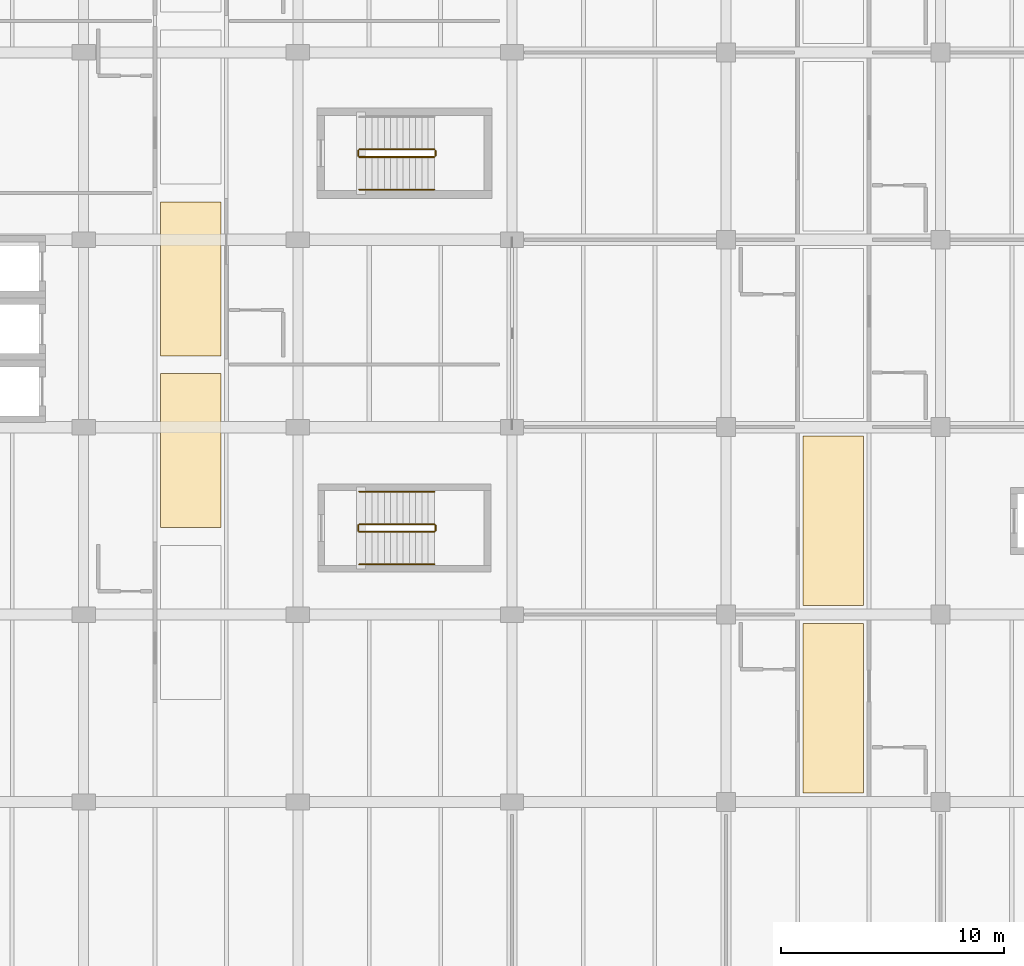
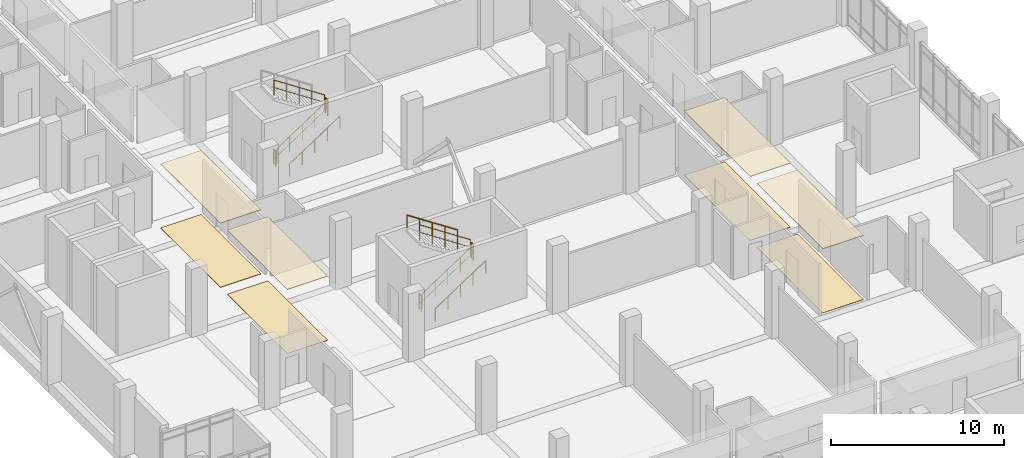
# One storey, part 137 of 152: 11 railings, 8 coverings.
"""IFC4 building model written with IfcOpenShell, lengths in metres."""

import ifcopenshell
import ifcopenshell.guid

model = None  # the IFC model being written
_history = None  # IfcOwnerHistory: only IFC2X3 demands one
_inside = {}  # id of a spatial element -> (the spatial element, [elements in it])
_under = {}  # id of a project, library or spatial element -> (it, [spatial elements below it])
_declared = {}  # id of a project -> (the project, [libraries it declares])
_typed = {}  # id of a type object -> (the type object, [elements of that type])
_made_of = {}  # id of a material, layer set ... -> (it, [elements and type objects made of it])


def new_model(schema):
    """Start an empty IFC model of exactly this schema.

    Asked for "IFC4X3", IfcOpenShell would pick the latest addendum, in which some entities
    have other attributes; the version numbers below select the first issue.
    IFC2X3 requires an IfcOwnerHistory on every rooted entity: one is made here for all.
    """
    global model, _history
    if schema == "IFC4X3":
        model = ifcopenshell.file(schema_version=(4, 3, 0, 0))
    else:
        model = ifcopenshell.file(schema=schema)
    _inside.clear()
    _under.clear()
    _declared.clear()
    _typed.clear()
    _made_of.clear()
    _history = None
    if model.schema == "IFC2X3":
        org = make("IfcOrganization", Name="unknown")
        user = make(
            "IfcPersonAndOrganization",
            ThePerson=make("IfcPerson", FamilyName="unknown"),
            TheOrganization=org,
        )
        app = make(
            "IfcApplication",
            ApplicationDeveloper=org,
            Version="unknown",
            ApplicationFullName="unknown",
            ApplicationIdentifier="unknown",
        )
        _history = make(
            "IfcOwnerHistory",
            OwningUser=user,
            OwningApplication=app,
            ChangeAction="ADDED",
            CreationDate=0,
        )
    return model


def make(cls, **values):
    """One entity of the class cls with the attributes given. An attribute that is None is left unset."""
    return model.create_entity(
        cls, **{name: value for name, value in values.items() if value is not None}
    )


def rooted(cls, **values):
    """An entity with a GlobalId (a new one), such as an element, a storey or a relation."""
    return make(cls, GlobalId=ifcopenshell.guid.new(), OwnerHistory=_history, **values)


def si_unit(unit_type, name, prefix=None):
    """IfcSIUnit, for example si_unit("LENGTHUNIT", "METRE", prefix="MILLI")."""
    return make("IfcSIUnit", UnitType=unit_type, Prefix=prefix, Name=name)


def assignment(units):
    """IfcUnitAssignment: the units of a project."""
    return None if units is None else make("IfcUnitAssignment", Units=units)


def point(xyz):
    """IfcCartesianPoint."""
    return None if xyz is None else make("IfcCartesianPoint", Coordinates=xyz)


def direction(xyz):
    """IfcDirection."""
    return None if xyz is None else make("IfcDirection", DirectionRatios=xyz)


def frame(location, z_axis=None, x_axis=None):
    """IfcAxis2Placement3D, a coordinate frame: its origin and axes. An axis left out is left unset."""
    return make(
        "IfcAxis2Placement3D",
        Location=point(location),
        Axis=direction(z_axis),
        RefDirection=direction(x_axis),
    )


def frame_2d(location, x_axis=None):
    """IfcAxis2Placement2D, a coordinate frame in the plane: its origin and x axis."""
    return make(
        "IfcAxis2Placement2D", Location=point(location), RefDirection=direction(x_axis)
    )


def origin():
    """The frame at (0, 0, 0) with its axes left unset."""
    return frame((0.0, 0.0, 0.0))


def origin_2d():
    """The frame at (0, 0) in the plane with its x axis left unset."""
    return frame_2d((0.0, 0.0))


def place(relative_to, where):
    """IfcLocalPlacement: puts the frame where relative to a parent placement (None: the world)."""
    return make(
        "IfcLocalPlacement", PlacementRelTo=relative_to, RelativePlacement=where
    )


def context(
    kind, dimensions, precision=None, world=None, true_north=None, identifier=None
):
    """IfcGeometricRepresentationContext, for example the 3D "Model" context."""
    return make(
        "IfcGeometricRepresentationContext",
        ContextIdentifier=identifier,
        ContextType=kind,
        CoordinateSpaceDimension=dimensions,
        Precision=precision,
        WorldCoordinateSystem=world,
        TrueNorth=true_north,
    )


def subcontext(parent, identifier, kind, view, scale=None):
    """IfcGeometricRepresentationSubContext, for example "Body" below "Model"."""
    return make(
        "IfcGeometricRepresentationSubContext",
        ContextIdentifier=identifier,
        ContextType=kind,
        ParentContext=parent,
        TargetScale=scale,
        TargetView=view,
    )


def project(units=None, contexts=None):
    """IfcProject with its units and contexts."""
    return rooted(
        "IfcProject",
        Name="project",
        RepresentationContexts=contexts,
        UnitsInContext=assignment(units),
    )


def spatial(cls, under=None, at=None, **own):
    """A site, building, storey or space (cls), placed at a placement, below another one or the project."""
    s = rooted(cls, ObjectPlacement=at, **own)
    if under is not None:
        _under.setdefault(under.id(), (under, []))[1].append(s)
    return s


def polyline(points):
    """IfcPolyline through the points."""
    return make("IfcPolyline", Points=[point(p) for p in points])


def profile(cls, at=None, kind="AREA", **sizes):
    """A parametric profile (cls). Its sizes go by their IFC names, for example OverallWidth=200.0."""
    return make(cls, ProfileType=kind, Position=at, **sizes)


def circle(**sizes):
    """IfcCircleProfileDef."""
    return profile("IfcCircleProfileDef", **sizes)


def outline(outer, holes=None, kind="AREA"):
    """IfcArbitraryClosedProfileDef: a profile drawn as a closed curve; with holes, ...WithVoids."""
    if holes is None:
        return make("IfcArbitraryClosedProfileDef", ProfileType=kind, OuterCurve=outer)
    return make(
        "IfcArbitraryProfileDefWithVoids",
        ProfileType=kind,
        OuterCurve=outer,
        InnerCurves=holes,
    )


def extrude(swept, where, along, depth):
    """IfcExtrudedAreaSolid: the profile swept, set in the frame where, extruded along a direction by depth."""
    return make(
        "IfcExtrudedAreaSolid",
        SweptArea=swept,
        Position=where,
        ExtrudedDirection=direction(along),
        Depth=depth,
    )


def shape(context_of_items, identifier, shape_type, items):
    """IfcShapeRepresentation: the items that make up one representation, for example the "Body"."""
    return make(
        "IfcShapeRepresentation",
        ContextOfItems=context_of_items,
        RepresentationIdentifier=identifier,
        RepresentationType=shape_type,
        Items=items,
    )


def material(Name=None, Category=None):
    """IfcMaterial."""
    return make("IfcMaterial", Name=Name, Category=Category)


def layer(
    of_material, thickness, ventilated=None, Name=None, Category=None, Priority=None
):
    """IfcMaterialLayer: one layer of a wall or slab, of a material (None: an air gap)."""
    return make(
        "IfcMaterialLayer",
        Material=of_material,
        LayerThickness=thickness,
        IsVentilated=ventilated,
        Name=Name,
        Category=Category,
        Priority=Priority,
    )


def layer_set(layers, Name=None):
    """IfcMaterialLayerSet."""
    return make("IfcMaterialLayerSet", MaterialLayers=layers, LayerSetName=Name)


def made_of(thing, what):
    """Note that an element or type object is made of a material, layer set ...; save() writes the relation."""
    if what is not None:
        _made_of.setdefault(what.id(), (what, []))[1].append(thing)
    return thing


def type_object(cls, material=None, **own):
    """A type object (cls), such as IfcWallType, which elements share."""
    return made_of(rooted(cls, **own), material)


def element(
    cls,
    number,
    at=None,
    inside=None,
    cuts=None,
    type_object=None,
    material=None,
    context=None,
    identifier="Body",
    shape_type=None,
    held_by="IfcProductDefinitionShape",
    body=None,
    shapes=None,
    **own,
):
    """One element of the class cls, such as IfcWall. Its Tag is "e" and its number.

    at: its placement. inside: the storey or other place that contains it. cuts: it is an
    opening in that element (IfcRelVoidsElement). A single representation is given by context,
    identifier, shape_type and body (its items); several are given by shapes. held_by: the class
    of the entity that holds the representations. save() writes the other relations.
    """
    e = rooted(cls, Tag="e%d" % number, ObjectPlacement=at, **own)
    if body is not None:
        shapes = [shape(context, identifier, shape_type, body)]
    if shapes is not None:
        e.Representation = make(held_by, Representations=shapes)
    if inside is not None:
        _inside.setdefault(inside.id(), (inside, []))[1].append(e)
    if cuts is not None:
        rooted(
            "IfcRelVoidsElement", RelatingBuildingElement=cuts, RelatedOpeningElement=e
        )
    if type_object is not None:
        _typed.setdefault(type_object.id(), (type_object, []))[1].append(e)
    return made_of(e, material)


def aggregate(whole, parts):
    """IfcRelAggregates: a whole, such as a stair, and the parts it consists of."""
    return rooted("IfcRelAggregates", RelatingObject=whole, RelatedObjects=parts)


def save(model, path):
    """Write the relations noted so far, then the file.

    IfcRelAggregates (storeys below a building ...), IfcRelContainedInSpatialStructure (elements
    in a storey), IfcRelDefinesByType, IfcRelAssociatesMaterial and IfcRelDeclares: one each for
    every whole, place, type object, material and project.
    """
    for whole, parts in _under.values():
        aggregate(whole, parts)
    for where, things in _inside.values():
        rooted(
            "IfcRelContainedInSpatialStructure",
            RelatedElements=things,
            RelatingStructure=where,
        )
    for kind, things in _typed.values():
        rooted("IfcRelDefinesByType", RelatedObjects=things, RelatingType=kind)
    for what, things in _made_of.values():
        rooted("IfcRelAssociatesMaterial", RelatedObjects=things, RelatingMaterial=what)
    for by, libraries in _declared.values():
        rooted("IfcRelDeclares", RelatingContext=by, RelatedDefinitions=libraries)
    model.write(path)


model = new_model("IFC4")

# Units and contexts
model_context = context("Model", 3, precision=1e-05, world=origin(), true_north=direction((0.0, 1.0)))
body_context = subcontext(model_context, "Body", "Model", "MODEL_VIEW")
ifc_project = project(units=[si_unit("LENGTHUNIT", "METRE"), si_unit("AREAUNIT", "SQUARE_METRE"), si_unit("VOLUMEUNIT", "CUBIC_METRE"), si_unit("PLANEANGLEUNIT", "RADIAN"), si_unit("MASSUNIT", "GRAM", prefix="KILO")], contexts=[model_context])

# Site, building, storey
site_placement = place(None, origin())
site = spatial("IfcSite", under=ifc_project, at=site_placement, CompositionType="ELEMENT")
building_placement = place(site_placement, origin())
building = spatial("IfcBuilding", under=site, at=building_placement, Name="Oolite Switchyard Hospital", CompositionType="ELEMENT")
storey_placement = place(building_placement, frame((0.0, 0.0, 5.10009765625)))
storey = spatial("IfcBuildingStorey", under=building, at=storey_placement, Name="L01", CompositionType="ELEMENT", Elevation=5.10009765625)

# Coverings
ifc_material_1 = material(Name="Hygienic washable mineral-fibre acoustic ceiling")
ifc_layer_1 = layer(ifc_material_1, 0.0400390625)
ifc_layer_set_1 = layer_set([ifc_layer_1], Name="COV-CEIL-AC60")
covering_type_1 = type_object("IfcCoveringType", Name="COV-CEIL-AC60", PredefinedType="CEILING", material=ifc_layer_set_1)
covering_1_placement = place(storey_placement, frame((0.0, 0.0, 4.5)))
element("IfcCovering", 1, at=covering_1_placement, inside=storey, type_object=covering_type_1, Name="L01 West Surgical ICU Corridor Ceiling 2", PredefinedType="CEILING", context=body_context, shape_type="SweptSolid", body=[
    extrude(outline(polyline([(13.050048828125, 45.89990234375), (15.75, 45.89990234375), (15.75, 52.800048828125), (13.050048828125, 52.800048828125), (13.050048828125, 45.89990234375)])), origin(), (0.0, 0.0, 1.0), 0.039794921875),
])
covering_2_placement = place(storey_placement, frame((0.0, 0.0, 4.5)))
element("IfcCovering", 2, at=covering_2_placement, inside=storey, type_object=covering_type_1, Name="L01 West Surgical ICU Corridor Ceiling 3", PredefinedType="CEILING", context=body_context, shape_type="SweptSolid", body=[
    extrude(outline(polyline([(13.050048828125, 53.60009765625), (15.75, 53.60009765625), (15.75, 60.5), (13.050048828125, 60.5), (13.050048828125, 53.60009765625)])), origin(), (0.0, 0.0, 1.0), 0.039794921875),
])
covering_3_placement = place(storey_placement, frame((0.0, 0.0, 4.5)))
element("IfcCovering", 3, at=covering_3_placement, inside=storey, type_object=covering_type_1, Name="L01 Cloister Coronary ICU Corridor Ceiling 1", PredefinedType="CEILING", context=body_context, shape_type="SweptSolid", body=[
    extrude(outline(polyline([(41.85009765625, 34.0), (44.550048828125, 34.0), (44.550048828125, 41.60009765625), (41.85009765625, 41.60009765625), (41.85009765625, 34.0)])), origin(), (0.0, 0.0, 1.0), 0.039794921875),
])
covering_4_placement = place(storey_placement, frame((0.0, 0.0, 4.5)))
element("IfcCovering", 4, at=covering_4_placement, inside=storey, type_object=covering_type_1, Name="L01 Cloister Coronary ICU Corridor Ceiling 2", PredefinedType="CEILING", context=body_context, shape_type="SweptSolid", body=[
    extrude(outline(polyline([(41.85009765625, 42.39990234375), (44.550048828125, 42.39990234375), (44.550048828125, 50.0), (41.85009765625, 50.0), (41.85009765625, 42.39990234375)])), origin(), (0.0, 0.0, 1.0), 0.039794921875),
])
ifc_material_2 = material(Name="Epoxy terrazzo seamless clinical flooring")
ifc_layer_2 = layer(ifc_material_2, 0.02001953125)
ifc_layer_set_2 = layer_set([ifc_layer_2], Name="COV-FLR-TER20")
covering_type_2 = type_object("IfcCoveringType", Name="COV-FLR-TER20", PredefinedType="FLOORING", material=ifc_layer_set_2)
covering_5_placement = place(storey_placement, origin())
element("IfcCovering", 5, at=covering_5_placement, inside=storey, type_object=covering_type_2, Name="L01 West Surgical ICU Corridor Flooring 2", PredefinedType="FLOORING", context=body_context, shape_type="SweptSolid", body=[
    extrude(outline(polyline([(13.050048828125, 45.89990234375), (15.75, 45.89990234375), (15.75, 52.800048828125), (13.050048828125, 52.800048828125), (13.050048828125, 45.89990234375)])), origin(), (0.0, 0.0, 1.0), 0.02001953125),
])
covering_6_placement = place(storey_placement, origin())
element("IfcCovering", 6, at=covering_6_placement, inside=storey, type_object=covering_type_2, Name="L01 West Surgical ICU Corridor Flooring 3", PredefinedType="FLOORING", context=body_context, shape_type="SweptSolid", body=[
    extrude(outline(polyline([(13.050048828125, 53.60009765625), (15.75, 53.60009765625), (15.75, 60.5), (13.050048828125, 60.5), (13.050048828125, 53.60009765625)])), origin(), (0.0, 0.0, 1.0), 0.02001953125),
])
covering_7_placement = place(storey_placement, origin())
element("IfcCovering", 7, at=covering_7_placement, inside=storey, type_object=covering_type_2, Name="L01 Cloister Coronary ICU Corridor Flooring 1", PredefinedType="FLOORING", context=body_context, shape_type="SweptSolid", body=[
    extrude(outline(polyline([(41.85009765625, 34.0), (44.550048828125, 34.0), (44.550048828125, 41.60009765625), (41.85009765625, 41.60009765625), (41.85009765625, 34.0)])), origin(), (0.0, 0.0, 1.0), 0.02001953125),
])
covering_8_placement = place(storey_placement, origin())
element("IfcCovering", 8, at=covering_8_placement, inside=storey, type_object=covering_type_2, Name="L01 Cloister Coronary ICU Corridor Flooring 2", PredefinedType="FLOORING", context=body_context, shape_type="SweptSolid", body=[
    extrude(outline(polyline([(41.85009765625, 42.39990234375), (44.550048828125, 42.39990234375), (44.550048828125, 50.0), (41.85009765625, 50.0), (41.85009765625, 42.39990234375)])), origin(), (0.0, 0.0, 1.0), 0.02001953125),
])

# Railings
ifc_material_3 = material(Name="Galvanized painted architectural steel handrail", Category="steel")
railing_type_1 = type_object("IfcRailingType", Name="RL-STAIR-GRD", PredefinedType="GUARDRAIL", material=ifc_material_3)
railing_1_placement = place(storey_placement, frame((21.9599609375, 45.7099609375, 0.1845703125)))
element("IfcRailing", 9, at=railing_1_placement, inside=storey, type_object=railing_type_1, Name="L01 ST-01 stair guard 1", PredefinedType="GUARDRAIL", context=body_context, shape_type="SweptSolid", body=[
    extrude(circle(Radius=0.02392578125, at=origin_2d()), frame((0.0, 0.0, 1.076171875), z_axis=(0.834876476806, 0.0, 0.550437342915), x_axis=(0.0, 1.0, 0.0)), (0.0, 0.0, 1.0), 4.024658203125),
    extrude(circle(Radius=0.015625, at=origin_2d()), frame((0.0, 0.0, 0.550048828125), z_axis=(0.834876476806, 0.0, 0.550437342915), x_axis=(0.0, 1.0, 0.0)), (0.0, 0.0, 1.0), 4.024658203125),
    extrude(circle(Radius=0.02099609375, at=origin_2d()), origin(), (0.0, 0.0, 1.0), 1.052001953125),
    extrude(circle(Radius=0.02099609375, at=origin_2d()), frame((0.840087890625, 0.0, 0.5537109375)), (0.0, 0.0, 1.0), 1.052001953125),
    extrude(circle(Radius=0.02099609375, at=origin_2d()), frame((1.68017578125, 0.0, 1.107666015625)), (0.0, 0.0, 1.0), 1.052001953125),
    extrude(circle(Radius=0.02099609375, at=origin_2d()), frame((2.52001953125, 0.0, 1.66162109375)), (0.0, 0.0, 1.0), 1.052001953125),
    extrude(circle(Radius=0.02099609375, at=origin_2d()), frame((3.360107421875, 0.0, 2.21533203125)), (0.0, 0.0, 1.0), 1.052001953125),
])
railing_2_placement = place(storey_placement, frame((25.3701171875, 45.760009765625, 2.39990234375)))
element("IfcRailing", 10, at=railing_2_placement, inside=storey, type_object=railing_type_1, Name="L01 ST-01 stair guard 2", PredefinedType="GUARDRAIL", context=body_context, shape_type="SweptSolid", body=[
    extrude(circle(Radius=0.02392578125, at=origin_2d()), frame((0.0, 0.0, 1.076171875), z_axis=(0.0, 1.0, 0.0), x_axis=(-1.0, 0.0, 0.0)), (0.0, 0.0, 1.0), 0.239990234375),
    extrude(circle(Radius=0.015625, at=origin_2d()), frame((0.0, 0.0, 0.550048828125), z_axis=(0.0, 1.0, 0.0), x_axis=(-1.0, 0.0, 0.0)), (0.0, 0.0, 1.0), 0.239990234375),
    extrude(circle(Radius=0.02099609375, at=origin_2d()), origin(), (0.0, 0.0, 1.0), 1.052001953125),
    extrude(circle(Radius=0.02099609375, at=origin_2d()), frame((0.0, 0.239990234375, 0.0)), (0.0, 0.0, 1.0), 1.052001953125),
])
railing_3_placement = place(storey_placement, frame((25.320068359375, 46.050048828125, 2.58447265625)))
element("IfcRailing", 11, at=railing_3_placement, inside=storey, type_object=railing_type_1, Name="L01 ST-01 stair guard 3", PredefinedType="GUARDRAIL", context=body_context, shape_type="SweptSolid", body=[
    extrude(circle(Radius=0.02392578125, at=origin_2d()), frame((0.0, 0.0, 1.076171875), z_axis=(-0.834876476806, 0.0, 0.550437342915), x_axis=(0.0, -1.0, 0.0)), (0.0, 0.0, 1.0), 4.024658203125),
    extrude(circle(Radius=0.015625, at=origin_2d()), frame((0.0, 0.0, 0.550048828125), z_axis=(-0.834876476806, 0.0, 0.550437342915), x_axis=(0.0, -1.0, 0.0)), (0.0, 0.0, 1.0), 4.024658203125),
    extrude(circle(Radius=0.02099609375, at=origin_2d()), origin(), (0.0, 0.0, 1.0), 1.052001953125),
    extrude(circle(Radius=0.02099609375, at=origin_2d()), frame((-0.840087890625, 0.0, 0.5537109375)), (0.0, 0.0, 1.0), 1.052001953125),
    extrude(circle(Radius=0.02099609375, at=origin_2d()), frame((-1.68017578125, 0.0, 1.107666015625)), (0.0, 0.0, 1.0), 1.052001953125),
    extrude(circle(Radius=0.02099609375, at=origin_2d()), frame((-2.52001953125, 0.0, 1.66162109375)), (0.0, 0.0, 1.0), 1.052001953125),
    extrude(circle(Radius=0.02099609375, at=origin_2d()), frame((-3.360107421875, 0.0, 2.21533203125)), (0.0, 0.0, 1.0), 1.052001953125),
])
railing_4_placement = place(storey_placement, frame((21.909912109375, 45.760009765625, 0.0)))
element("IfcRailing", 12, at=railing_4_placement, inside=storey, type_object=railing_type_1, Name="L01 ST-01 stair guard 4", PredefinedType="GUARDRAIL", context=body_context, shape_type="SweptSolid", body=[
    extrude(circle(Radius=0.02392578125, at=origin_2d()), frame((0.0, 0.0, 1.076171875), z_axis=(0.0, 1.0, 0.0), x_axis=(-1.0, 0.0, 0.0)), (0.0, 0.0, 1.0), 0.239990234375),
    extrude(circle(Radius=0.015625, at=origin_2d()), frame((0.0, 0.0, 0.550048828125), z_axis=(0.0, 1.0, 0.0), x_axis=(-1.0, 0.0, 0.0)), (0.0, 0.0, 1.0), 0.239990234375),
    extrude(circle(Radius=0.02099609375, at=origin_2d()), origin(), (0.0, 0.0, 1.0), 1.052001953125),
    extrude(circle(Radius=0.02099609375, at=origin_2d()), frame((0.0, 0.239990234375, 0.0)), (0.0, 0.0, 1.0), 1.052001953125),
])
railing_5_placement = place(storey_placement, frame((21.9599609375, 62.510009765625, 0.1845703125)))
element("IfcRailing", 13, at=railing_5_placement, inside=storey, type_object=railing_type_1, Name="L01 ST-02 stair guard 1", PredefinedType="GUARDRAIL", context=body_context, shape_type="SweptSolid", body=[
    extrude(circle(Radius=0.02392578125, at=origin_2d()), frame((0.0, 0.0, 1.076171875), z_axis=(0.834876476806, 0.0, 0.550437342915), x_axis=(0.0, 1.0, 0.0)), (0.0, 0.0, 1.0), 4.024658203125),
    extrude(circle(Radius=0.015625, at=origin_2d()), frame((0.0, 0.0, 0.550048828125), z_axis=(0.834876476806, 0.0, 0.550437342915), x_axis=(0.0, 1.0, 0.0)), (0.0, 0.0, 1.0), 4.024658203125),
    extrude(circle(Radius=0.02099609375, at=origin_2d()), origin(), (0.0, 0.0, 1.0), 1.052001953125),
    extrude(circle(Radius=0.02099609375, at=origin_2d()), frame((0.840087890625, 0.0, 0.5537109375)), (0.0, 0.0, 1.0), 1.052001953125),
    extrude(circle(Radius=0.02099609375, at=origin_2d()), frame((1.68017578125, 0.0, 1.107666015625)), (0.0, 0.0, 1.0), 1.052001953125),
    extrude(circle(Radius=0.02099609375, at=origin_2d()), frame((2.52001953125, 0.0, 1.66162109375)), (0.0, 0.0, 1.0), 1.052001953125),
    extrude(circle(Radius=0.02099609375, at=origin_2d()), frame((3.360107421875, 0.0, 2.21533203125)), (0.0, 0.0, 1.0), 1.052001953125),
])
railing_6_placement = place(storey_placement, frame((25.3701171875, 62.56005859375, 2.39990234375)))
element("IfcRailing", 14, at=railing_6_placement, inside=storey, type_object=railing_type_1, Name="L01 ST-02 stair guard 2", PredefinedType="GUARDRAIL", context=body_context, shape_type="SweptSolid", body=[
    extrude(circle(Radius=0.02392578125, at=origin_2d()), frame((0.0, 0.0, 1.076171875), z_axis=(0.0, 1.0, 0.0), x_axis=(-1.0, 0.0, 0.0)), (0.0, 0.0, 1.0), 0.239990234375),
    extrude(circle(Radius=0.015625, at=origin_2d()), frame((0.0, 0.0, 0.550048828125), z_axis=(0.0, 1.0, 0.0), x_axis=(-1.0, 0.0, 0.0)), (0.0, 0.0, 1.0), 0.239990234375),
    extrude(circle(Radius=0.02099609375, at=origin_2d()), origin(), (0.0, 0.0, 1.0), 1.052001953125),
    extrude(circle(Radius=0.02099609375, at=origin_2d()), frame((0.0, 0.239990234375, 0.0)), (0.0, 0.0, 1.0), 1.052001953125),
])
railing_7_placement = place(storey_placement, frame((25.320068359375, 62.85009765625, 2.58447265625)))
element("IfcRailing", 15, at=railing_7_placement, inside=storey, type_object=railing_type_1, Name="L01 ST-02 stair guard 3", PredefinedType="GUARDRAIL", context=body_context, shape_type="SweptSolid", body=[
    extrude(circle(Radius=0.02392578125, at=origin_2d()), frame((0.0, 0.0, 1.076171875), z_axis=(-0.834876476806, 0.0, 0.550437342915), x_axis=(0.0, -1.0, 0.0)), (0.0, 0.0, 1.0), 4.024658203125),
    extrude(circle(Radius=0.015625, at=origin_2d()), frame((0.0, 0.0, 0.550048828125), z_axis=(-0.834876476806, 0.0, 0.550437342915), x_axis=(0.0, -1.0, 0.0)), (0.0, 0.0, 1.0), 4.024658203125),
    extrude(circle(Radius=0.02099609375, at=origin_2d()), origin(), (0.0, 0.0, 1.0), 1.052001953125),
    extrude(circle(Radius=0.02099609375, at=origin_2d()), frame((-0.840087890625, 0.0, 0.5537109375)), (0.0, 0.0, 1.0), 1.052001953125),
    extrude(circle(Radius=0.02099609375, at=origin_2d()), frame((-1.68017578125, 0.0, 1.107666015625)), (0.0, 0.0, 1.0), 1.052001953125),
    extrude(circle(Radius=0.02099609375, at=origin_2d()), frame((-2.52001953125, 0.0, 1.66162109375)), (0.0, 0.0, 1.0), 1.052001953125),
    extrude(circle(Radius=0.02099609375, at=origin_2d()), frame((-3.360107421875, 0.0, 2.21533203125)), (0.0, 0.0, 1.0), 1.052001953125),
])
railing_8_placement = place(storey_placement, frame((21.909912109375, 62.56005859375, 0.0)))
element("IfcRailing", 16, at=railing_8_placement, inside=storey, type_object=railing_type_1, Name="L01 ST-02 stair guard 4", PredefinedType="GUARDRAIL", context=body_context, shape_type="SweptSolid", body=[
    extrude(circle(Radius=0.02392578125, at=origin_2d()), frame((0.0, 0.0, 1.076171875), z_axis=(0.0, 1.0, 0.0), x_axis=(-1.0, 0.0, 0.0)), (0.0, 0.0, 1.0), 0.239990234375),
    extrude(circle(Radius=0.015625, at=origin_2d()), frame((0.0, 0.0, 0.550048828125), z_axis=(0.0, 1.0, 0.0), x_axis=(-1.0, 0.0, 0.0)), (0.0, 0.0, 1.0), 0.239990234375),
    extrude(circle(Radius=0.02099609375, at=origin_2d()), origin(), (0.0, 0.0, 1.0), 1.052001953125),
    extrude(circle(Radius=0.02099609375, at=origin_2d()), frame((0.0, 0.239990234375, 0.0)), (0.0, 0.0, 1.0), 1.052001953125),
])
railing_type_2 = type_object("IfcRailingType", Name="RL-STAIR-HND", PredefinedType="HANDRAIL", material=ifc_material_3)
railing_9_placement = place(storey_placement, frame((21.9599609375, 44.25, 0.1845703125)))
element("IfcRailing", 17, at=railing_9_placement, inside=storey, type_object=railing_type_2, Name="L01 ST-01 stair handrail 1", PredefinedType="HANDRAIL", context=body_context, shape_type="SweptSolid", body=[
    extrude(circle(Radius=0.02392578125, at=origin_2d()), frame((0.0, 0.0, 0.8759765625), z_axis=(0.834876476806, 0.0, 0.550437342915), x_axis=(0.0, 1.0, 0.0)), (0.0, 0.0, 1.0), 4.024658203125),
    extrude(circle(Radius=0.02099609375, at=origin_2d()), origin(), (0.0, 0.0, 1.0), 0.851806640625),
    extrude(circle(Radius=0.02099609375, at=origin_2d()), frame((0.840087890625, 0.0, 0.5537109375)), (0.0, 0.0, 1.0), 0.851806640625),
    extrude(circle(Radius=0.02099609375, at=origin_2d()), frame((1.68017578125, 0.0, 1.107666015625)), (0.0, 0.0, 1.0), 0.851806640625),
    extrude(circle(Radius=0.02099609375, at=origin_2d()), frame((2.52001953125, 0.0, 1.66162109375)), (0.0, 0.0, 1.0), 0.851806640625),
    extrude(circle(Radius=0.02099609375, at=origin_2d()), frame((3.360107421875, 0.0, 2.21533203125)), (0.0, 0.0, 1.0), 0.851806640625),
])
railing_10_placement = place(storey_placement, frame((25.320068359375, 47.510009765625, 2.58447265625)))
element("IfcRailing", 18, at=railing_10_placement, inside=storey, type_object=railing_type_2, Name="L01 ST-01 stair handrail 2", PredefinedType="HANDRAIL", context=body_context, shape_type="SweptSolid", body=[
    extrude(circle(Radius=0.02392578125, at=origin_2d()), frame((0.0, 0.0, 0.8759765625), z_axis=(-0.834876476806, 0.0, 0.550437342915), x_axis=(0.0, -1.0, 0.0)), (0.0, 0.0, 1.0), 4.024658203125),
    extrude(circle(Radius=0.02099609375, at=origin_2d()), origin(), (0.0, 0.0, 1.0), 0.851806640625),
    extrude(circle(Radius=0.02099609375, at=origin_2d()), frame((-0.840087890625, 0.0, 0.5537109375)), (0.0, 0.0, 1.0), 0.851806640625),
    extrude(circle(Radius=0.02099609375, at=origin_2d()), frame((-1.68017578125, 0.0, 1.107666015625)), (0.0, 0.0, 1.0), 0.851806640625),
    extrude(circle(Radius=0.02099609375, at=origin_2d()), frame((-2.52001953125, 0.0, 1.66162109375)), (0.0, 0.0, 1.0), 0.851806640625),
    extrude(circle(Radius=0.02099609375, at=origin_2d()), frame((-3.360107421875, 0.0, 2.21533203125)), (0.0, 0.0, 1.0), 0.851806640625),
])
railing_11_placement = place(storey_placement, frame((21.9599609375, 61.050048828125, 0.1845703125)))
element("IfcRailing", 19, at=railing_11_placement, inside=storey, type_object=railing_type_2, Name="L01 ST-02 stair handrail 1", PredefinedType="HANDRAIL", context=body_context, shape_type="SweptSolid", body=[
    extrude(circle(Radius=0.02392578125, at=origin_2d()), frame((0.0, 0.0, 0.8759765625), z_axis=(0.834876476806, 0.0, 0.550437342915), x_axis=(0.0, 1.0, 0.0)), (0.0, 0.0, 1.0), 4.024658203125),
    extrude(circle(Radius=0.02099609375, at=origin_2d()), origin(), (0.0, 0.0, 1.0), 0.851806640625),
    extrude(circle(Radius=0.02099609375, at=origin_2d()), frame((0.840087890625, 0.0, 0.5537109375)), (0.0, 0.0, 1.0), 0.851806640625),
    extrude(circle(Radius=0.02099609375, at=origin_2d()), frame((1.68017578125, 0.0, 1.107666015625)), (0.0, 0.0, 1.0), 0.851806640625),
    extrude(circle(Radius=0.02099609375, at=origin_2d()), frame((2.52001953125, 0.0, 1.66162109375)), (0.0, 0.0, 1.0), 0.851806640625),
    extrude(circle(Radius=0.02099609375, at=origin_2d()), frame((3.360107421875, 0.0, 2.21533203125)), (0.0, 0.0, 1.0), 0.851806640625),
])

save(model, "model.ifc")
